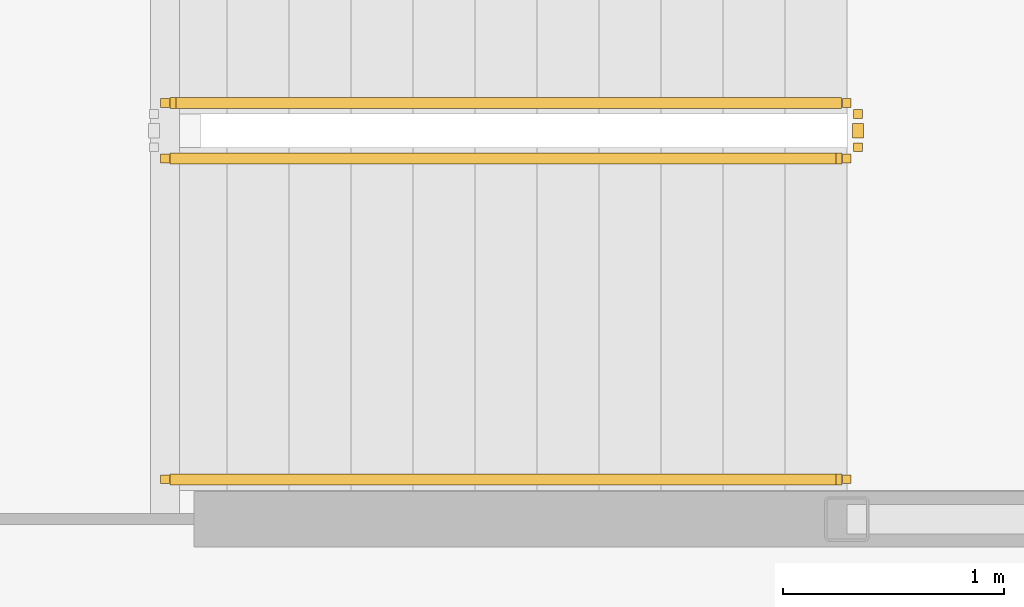
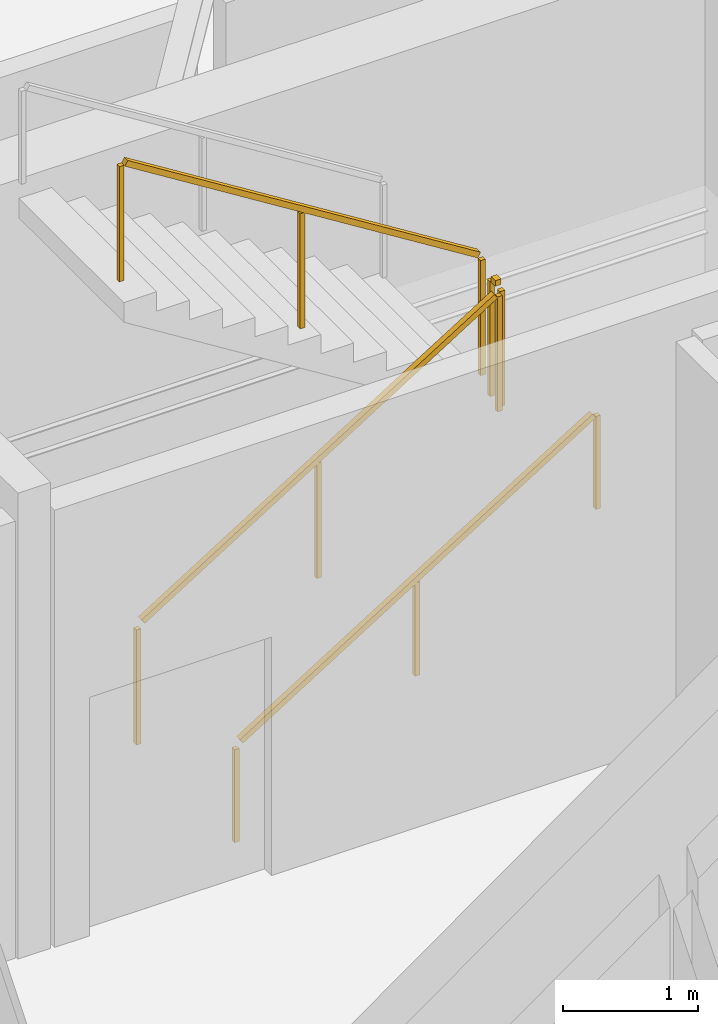
# One storey, part 21 of 22: 4 railings.
"""IFC4 building model written with IfcOpenShell, lengths in metres."""

from ifc_helpers import new_model, si_unit, direction, frame, origin, origin_2d, place, context, subcontext, project, spatial, rectangle, extrude, material, type_object, element, save


model = new_model("IFC4")

# Units and contexts
model_context = context("Model", 3, precision=1e-05, world=origin(), true_north=direction((0.0, 1.0)))
body_context = subcontext(model_context, "Body", "Model", "MODEL_VIEW")
ifc_project = project(units=[si_unit("LENGTHUNIT", "METRE"), si_unit("AREAUNIT", "SQUARE_METRE"), si_unit("VOLUMEUNIT", "CUBIC_METRE"), si_unit("PLANEANGLEUNIT", "RADIAN"), si_unit("MASSUNIT", "GRAM", prefix="KILO")], contexts=[model_context])

# Site, building, storey
site_placement = place(None, origin())
site = spatial("IfcSite", under=ifc_project, at=site_placement, CompositionType="ELEMENT")
building_placement = place(site_placement, origin())
building = spatial("IfcBuilding", under=site, at=building_placement, Name="Kazma Halo Residences", CompositionType="ELEMENT")
storey_placement = place(building_placement, frame((0.0, 0.0, 330.5)))
storey = spatial("IfcBuildingStorey", under=building, at=storey_placement, Name="L83", CompositionType="ELEMENT", Elevation=330.5)

# Railings
ifc_material_1 = material(Name="Painted Steel S355", Category="steel")
railing_type_1 = type_object("IfcRailingType", Name="RLG-STAIR-GRD-1100", PredefinedType="GUARDRAIL", material=ifc_material_1)
railing_1_placement = place(storey_placement, frame((53.199951171875, 48.25, 0.175048828125)))
element("IfcRailing", 1, at=railing_1_placement, inside=storey, type_object=railing_type_1, Name="L83 ST-02 stair guard 1", PredefinedType="GUARDRAIL", context=body_context, shape_type="SweptSolid", body=[
    extrude(rectangle(XDim=0.050048828125, YDim=0.050048828125, at=origin_2d()), frame((0.0361328125, 0.0, 1.09765625), z_axis=(0.847998304005, 0.0, 0.529998940003), x_axis=(0.0, 1.0, 0.0)), (0.0, 0.0, 1.0), 3.547119140625),
    extrude(rectangle(XDim=0.0400390625, YDim=0.0400390625, at=origin_2d()), origin(), (0.0, 0.0, 1.0), 1.0380859375),
    extrude(rectangle(XDim=0.0400390625, YDim=0.0400390625, at=origin_2d()), frame((1.5400390625, 0.0, 0.96240234375)), (0.0, 0.0, 1.0), 1.0380859375),
    extrude(rectangle(XDim=0.0400390625, YDim=0.0400390625, at=origin_2d()), frame((3.080078125, 0.0, 1.925048828125)), (0.0, 0.0, 1.0), 1.0380859375),
])
railing_2_placement = place(storey_placement, frame((56.330078125, 48.300048828125, 2.10009765625)))
element("IfcRailing", 2, at=railing_2_placement, inside=storey, type_object=railing_type_1, Name="L83 ST-02 stair guard 2", PredefinedType="GUARDRAIL", context=body_context, shape_type="SweptSolid", body=[
    extrude(rectangle(XDim=0.050048828125, YDim=0.050048828125, at=origin_2d()), frame((0.0, 0.04248046875, 1.0751953125), z_axis=(0.0, 1.0, 0.0), x_axis=(-1.0, 0.0, 0.0)), (0.0, 0.0, 1.0), 0.06494140625),
    extrude(rectangle(XDim=0.0400390625, YDim=0.0400390625, at=origin_2d()), origin(), (0.0, 0.0, 1.0), 1.0380859375),
    extrude(rectangle(XDim=0.0400390625, YDim=0.0400390625, at=origin_2d()), frame((0.0, 0.14990234375, 0.0)), (0.0, 0.0, 1.0), 1.0380859375),
])
railing_3_placement = place(storey_placement, frame((56.280029296875, 48.5, 2.27490234375)))
element("IfcRailing", 3, at=railing_3_placement, inside=storey, type_object=railing_type_1, Name="L83 ST-02 stair guard 3", PredefinedType="GUARDRAIL", context=body_context, shape_type="SweptSolid", body=[
    extrude(rectangle(XDim=0.050048828125, YDim=0.050048828125, at=origin_2d()), frame((-0.0361328125, 0.0, 1.09765625), z_axis=(-0.847998304005, 0.0, 0.529998940003), x_axis=(0.0, -1.0, 0.0)), (0.0, 0.0, 1.0), 3.547119140625),
    extrude(rectangle(XDim=0.0400390625, YDim=0.0400390625, at=origin_2d()), origin(), (0.0, 0.0, 1.0), 1.0380859375),
    extrude(rectangle(XDim=0.0400390625, YDim=0.0400390625, at=origin_2d()), frame((-1.5400390625, 0.0, 0.96240234375)), (0.0, 0.0, 1.0), 1.0380859375),
    extrude(rectangle(XDim=0.0400390625, YDim=0.0400390625, at=origin_2d()), frame((-3.080078125, 0.0, 1.925048828125)), (0.0, 0.0, 1.0), 1.0380859375),
])
ifc_material_2 = material(Name="Brushed Stainless Steel", Category="steel")
railing_type_2 = type_object("IfcRailingType", Name="RLG-STAIR-HND-900", PredefinedType="HANDRAIL", material=ifc_material_2)
railing_4_placement = place(storey_placement, frame((53.199951171875, 46.800048828125, 0.175048828125)))
element("IfcRailing", 4, at=railing_4_placement, inside=storey, type_object=railing_type_2, Name="L83 ST-02 stair handrail 1", PredefinedType="HANDRAIL", context=body_context, shape_type="SweptSolid", body=[
    extrude(rectangle(XDim=0.050048828125, YDim=0.050048828125, at=origin_2d()), frame((0.0361328125, 0.0, 0.8974609375), z_axis=(0.847998304005, 0.0, 0.529998940003), x_axis=(0.0, 1.0, 0.0)), (0.0, 0.0, 1.0), 3.547119140625),
    extrude(rectangle(XDim=0.0400390625, YDim=0.0400390625, at=origin_2d()), origin(), (0.0, 0.0, 1.0), 0.837890625),
    extrude(rectangle(XDim=0.0400390625, YDim=0.0400390625, at=origin_2d()), frame((1.5400390625, 0.0, 0.96240234375)), (0.0, 0.0, 1.0), 0.837890625),
    extrude(rectangle(XDim=0.0400390625, YDim=0.0400390625, at=origin_2d()), frame((3.080078125, 0.0, 1.925048828125)), (0.0, 0.0, 1.0), 0.837890625),
])

save(model, "model.ifc")
